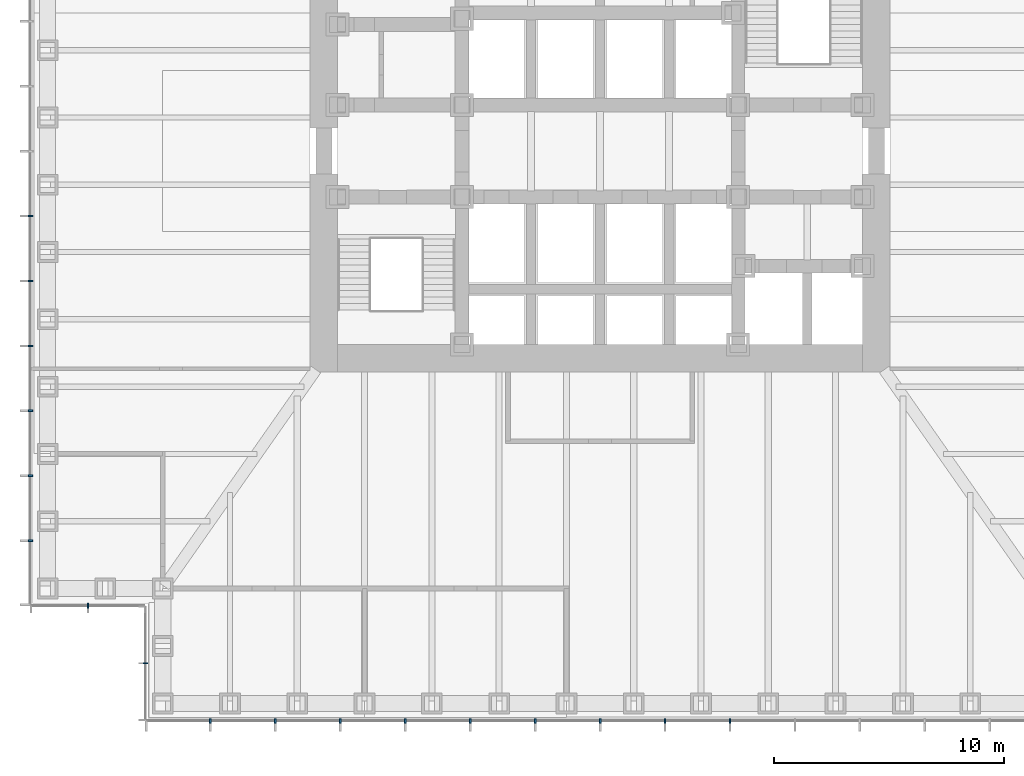
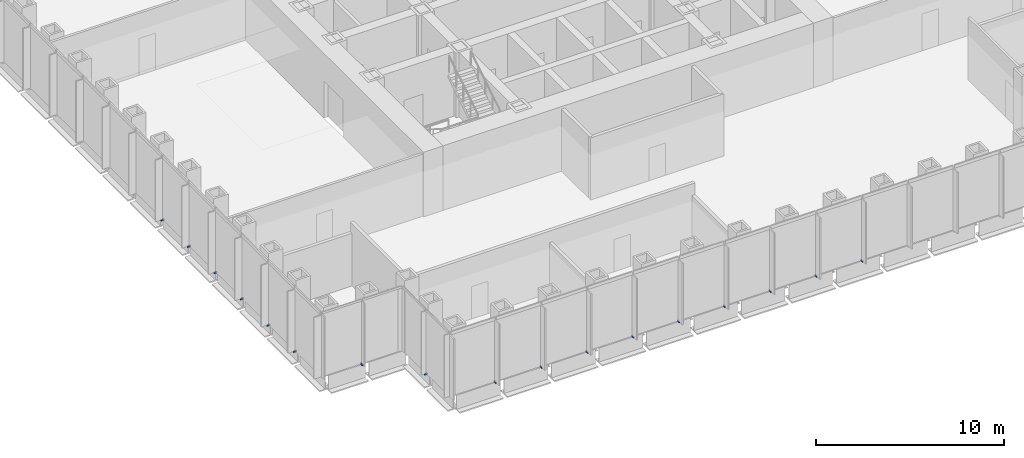
# One storey, part 12 of 17: 17 discrete accessories.
"""IFC4 building model written with IfcOpenShell, lengths in metres."""

from ifc_helpers import new_model, si_unit, direction, frame, origin, origin_2d, place, context, subcontext, project, spatial, rectangle, extrude, element, save


model = new_model("IFC4")

# Units and contexts
model_context = context("Model", 3, precision=1e-05, world=origin(), true_north=direction((0.0, 1.0)))
body_context = subcontext(model_context, "Body", "Model", "MODEL_VIEW")
ifc_project = project(units=[si_unit("LENGTHUNIT", "METRE"), si_unit("AREAUNIT", "SQUARE_METRE"), si_unit("VOLUMEUNIT", "CUBIC_METRE"), si_unit("PLANEANGLEUNIT", "RADIAN"), si_unit("MASSUNIT", "GRAM", prefix="KILO")], contexts=[model_context])

# Site, building, storey
site_placement = place(None, origin())
site = spatial("IfcSite", under=ifc_project, at=site_placement, CompositionType="ELEMENT")
building_placement = place(site_placement, origin())
building = spatial("IfcBuilding", under=site, at=building_placement, Name="Daluyong Arena Tower", CompositionType="ELEMENT")
storey_placement = place(building_placement, frame((0.0, 0.0, 60.10009765625)))
storey = spatial("IfcBuildingStorey", under=building, at=storey_placement, Name="L12", CompositionType="ELEMENT", Elevation=60.10009765625)

# Discrete accessories
for number, where, z_axis, x_axis, name in (
    (1, (39.071533203125, 55.25, -0.10009765625), (0.0, 0.0, 1.0), (1.0, 0.0, 0.0), "curtain wall L12 S anchor bracket 2"),
    (2, (41.892822265625, 55.25, -0.10009765625), (0.0, 0.0, 1.0), (1.0, 0.0, 0.0), "curtain wall L12 S anchor bracket 3"),
    (3, (44.71435546875, 55.25, -0.10009765625), (0.0, 0.0, 1.0), (1.0, 0.0, 0.0), "curtain wall L12 S anchor bracket 4"),
    (4, (47.53564453125, 55.25, -0.10009765625), (0.0, 0.0, 1.0), (1.0, 0.0, 0.0), "curtain wall L12 S anchor bracket 5"),
    (5, (50.357177734375, 55.25, -0.10009765625), (0.0, 0.0, 1.0), (1.0, 0.0, 0.0), "curtain wall L12 S anchor bracket 6"),
    (6, (53.178466796875, 55.25, -0.10009765625), (0.0, 0.0, 1.0), (1.0, 0.0, 0.0), "curtain wall L12 S anchor bracket 7"),
    (7, (56.0, 55.25, -0.10009765625), (0.0, 0.0, 1.0), (1.0, 0.0, 0.0), "curtain wall L12 S anchor bracket 8"),
    (8, (58.821533203125, 55.25, -0.10009765625), (0.0, 0.0, 1.0), (1.0, 0.0, 0.0), "curtain wall L12 S anchor bracket 9"),
    (9, (61.642822265625, 55.25, -0.10009765625), (0.0, 0.0, 1.0), (1.0, 0.0, 0.0), "curtain wall L12 S anchor bracket 10"),
    (10, (31.25, 77.178466796875, -0.10009765625), (0.0, 0.0, 1.0), (0.0, -1.0, 0.0), "curtain wall L12 W anchor bracket 9"),
    (11, (31.25, 74.357177734375, -0.10009765625), (0.0, 0.0, 1.0), (0.0, -1.0, 0.0), "curtain wall L12 W anchor bracket 10"),
    (12, (31.25, 71.53564453125, -0.10009765625), (0.0, 0.0, 1.0), (0.0, -1.0, 0.0), "curtain wall L12 W anchor bracket 11"),
    (13, (31.25, 68.71435546875, -0.10009765625), (0.0, 0.0, 1.0), (0.0, -1.0, 0.0), "curtain wall L12 W anchor bracket 12"),
    (14, (31.25, 65.892822265625, -0.10009765625), (0.0, 0.0, 1.0), (0.0, -1.0, 0.0), "curtain wall L12 W anchor bracket 13"),
    (15, (31.25, 63.071533203125, -0.10009765625), (0.0, 0.0, 1.0), (0.0, -1.0, 0.0), "curtain wall L12 W anchor bracket 14"),
):
    element("IfcDiscreteAccessory", number, at=place(storey_placement, frame(where, z_axis=z_axis, x_axis=x_axis)), inside=storey, Name=name, PredefinedType="BRACKET", context=body_context, shape_type="SweptSolid", body=[
        extrude(rectangle(XDim=0.080078125, YDim=0.199951171875, at=origin_2d()), origin(), (0.0, 0.0, 1.0), 0.10009765625),
    ])
for number, where, z_axis, x_axis, name in (
    (16, (33.75, 60.25, -0.10009765625), (0.0, 0.0, 1.0), (1.0, 0.0, 0.0), "curtain wall L12 SW-S anchor bracket 2"),
    (17, (36.25, 57.75, -0.10009765625), (0.0, 0.0, 1.0), (0.0, -1.0, 0.0), "curtain wall L12 SW-W anchor bracket 2"),
):
    element("IfcDiscreteAccessory", number, at=place(storey_placement, frame(where, z_axis=z_axis, x_axis=x_axis)), inside=storey, Name=name, PredefinedType="BRACKET", context=body_context, shape_type="SweptSolid", body=[
        extrude(rectangle(XDim=0.06005859375, YDim=0.199951171875, at=origin_2d()), origin(), (0.0, 0.0, 1.0), 0.10009765625),
    ])

save(model, "model.ifc")
